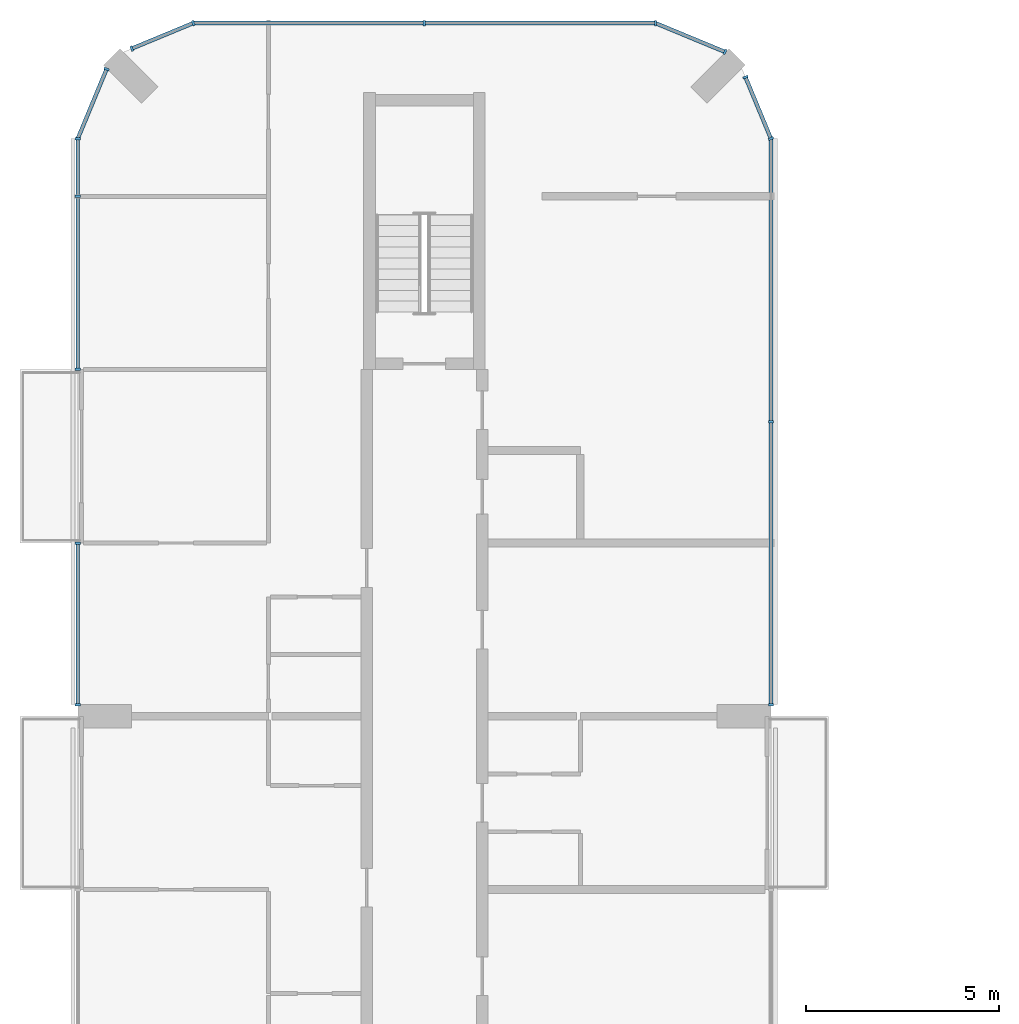
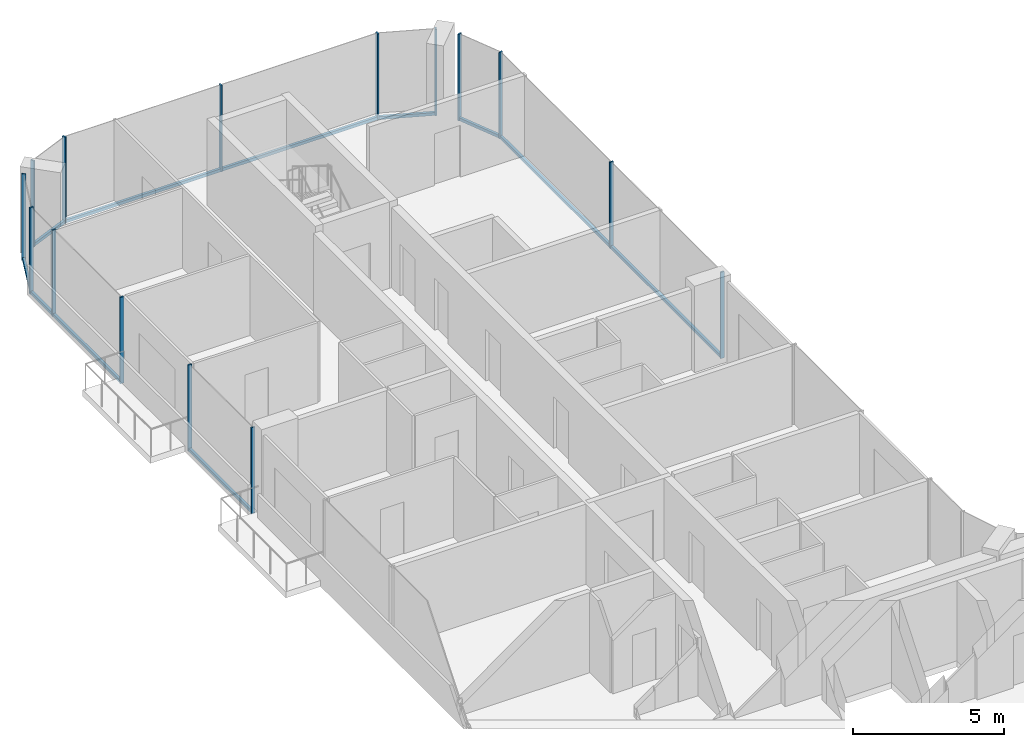
# One storey, part 7 of 15: 23 members, 8 elements without a shape of their own.
"""IFC4 building model written with IfcOpenShell, lengths in metres."""

from ifc_helpers import new_model, si_unit, direction, frame, origin, origin_2d, place, context, subcontext, project, spatial, rectangle, extrude, material, layer, layer_set, material_profile, profile_set, type_object, element, aggregate, save


model = new_model("IFC4")

# Units and contexts
model_context = context("Model", 3, precision=1e-05, world=origin(), true_north=direction((0.0, 1.0)))
body_context = subcontext(model_context, "Body", "Model", "MODEL_VIEW")
ifc_project = project(units=[si_unit("LENGTHUNIT", "METRE"), si_unit("AREAUNIT", "SQUARE_METRE"), si_unit("VOLUMEUNIT", "CUBIC_METRE"), si_unit("PLANEANGLEUNIT", "RADIAN"), si_unit("MASSUNIT", "GRAM", prefix="KILO")], contexts=[model_context])

# Site, building, storey
site_placement = place(None, origin())
site = spatial("IfcSite", under=ifc_project, at=site_placement, CompositionType="ELEMENT")
building_placement = place(site_placement, origin())
building = spatial("IfcBuilding", under=site, at=building_placement, Name="Plateau Cross Towers", CompositionType="ELEMENT")
storey_placement = place(building_placement, frame((0.0, 0.0, 177.89990234375)))
storey = spatial("IfcBuildingStorey", under=building, at=storey_placement, Name="L46", CompositionType="ELEMENT", Elevation=177.89990234375)

# Curtain wall, members
ifc_material_1 = material(Name="Dark low-iron glass", Category="glass")
ifc_layer = layer(ifc_material_1, 0.239990234375)
ifc_layer_set = layer_set([ifc_layer], Name="Dark low-iron glass")
curtain_wall_type = type_object("IfcCurtainWallType", Name="Curtain wall flush unitised CW-B", PredefinedType="NOTDEFINED", material=ifc_layer_set)
curtain_wall_1_placement = place(storey_placement, origin())
curtain_wall_1 = element("IfcCurtainWall", 1, at=curtain_wall_1_placement, inside=storey, type_object=curtain_wall_type, Name="ENV/A/L46/A180_363", PredefinedType="NOTDEFINED")
ifc_material_2 = material(Name="Black anodised aluminium", Category="aluminium")
ifc_material_profile_1 = material_profile(ifc_material_2, rectangle(XDim=0.06005859375, YDim=0.139892578125, at=origin_2d()), Name="MULLION 60x140")
ifc_profile_set_1 = profile_set([ifc_material_profile_1], Name="Black anodised aluminium")
member_type_1 = type_object("IfcMemberType", Name="Mullion 60x140 flush unitised", PredefinedType="MULLION", material=ifc_profile_set_1)
member_1_placement = place(storey_placement, frame((18.0, 36.300048828125, -0.25), z_axis=(0.0, 0.0, 1.0), x_axis=(0.0, 1.0, 0.0)))
member_1 = element("IfcMember", 2, at=member_1_placement, type_object=member_type_1, Name="CW-B mullion 1", PredefinedType="MULLION", context=body_context, shape_type="SweptSolid", body=[
    extrude(rectangle(XDim=0.06005859375, YDim=0.139892578125, at=origin_2d()), origin(), (0.0, 0.0, 1.0), 3.5),
])
member_2_placement = place(storey_placement, frame((18.0, 43.64990234375, -0.25), z_axis=(0.0, 0.0, 1.0), x_axis=(0.0, 1.0, 0.0)))
member_2 = element("IfcMember", 3, at=member_2_placement, type_object=member_type_1, Name="CW-B mullion 2", PredefinedType="MULLION", context=body_context, shape_type="SweptSolid", body=[
    extrude(rectangle(XDim=0.06005859375, YDim=0.139892578125, at=origin_2d()), origin(), (0.0, 0.0, 1.0), 3.5),
])

curtain_wall_2_placement = place(storey_placement, origin())
curtain_wall_2 = element("IfcCurtainWall", 4, at=curtain_wall_2_placement, inside=storey, type_object=curtain_wall_type, Name="ENV/A/L46/A180_510", PredefinedType="NOTDEFINED")
member_3_placement = place(storey_placement, frame((18.0, 51.0, -0.25), z_axis=(0.0, 0.0, 1.0), x_axis=(-0.382683612978, 0.923879457699, 0.0)))
member_3 = element("IfcMember", 5, at=member_3_placement, type_object=member_type_1, Name="CW-B mullion 1", PredefinedType="MULLION", context=body_context, shape_type="SweptSolid", body=[
    extrude(rectangle(XDim=0.06005859375, YDim=0.139892578125, at=origin_2d()), origin(), (0.0, 0.0, 1.0), 3.5),
])
member_4_placement = place(storey_placement, frame((17.338623046875, 52.5966796875, -0.25), z_axis=(0.0, 0.0, 1.0), x_axis=(-0.382683612978, 0.923879457699, 0.0)))
member_4 = element("IfcMember", 6, at=member_4_placement, type_object=member_type_1, Name="CW-B mullion 2", PredefinedType="MULLION", context=body_context, shape_type="SweptSolid", body=[
    extrude(rectangle(XDim=0.06005859375, YDim=0.139892578125, at=origin_2d()), origin(), (0.0, 0.0, 1.0), 3.5),
])

# Curtain wall, member
curtain_wall_3_placement = place(storey_placement, origin())
curtain_wall_3 = element("IfcCurtainWall", 7, at=curtain_wall_3_placement, inside=storey, type_object=curtain_wall_type, Name="ENV/A/L46/A168_533", PredefinedType="NOTDEFINED")
member_5_placement = place(storey_placement, frame((16.805908203125, 53.251953125, -0.25), z_axis=(0.0, 0.0, 1.0), x_axis=(-0.923879457699, 0.382683612978, 0.0)))
member_5 = element("IfcMember", 8, at=member_5_placement, type_object=member_type_1, Name="CW-B mullion 1", PredefinedType="MULLION", context=body_context, shape_type="SweptSolid", body=[
    extrude(rectangle(XDim=0.06005859375, YDim=0.139892578125, at=origin_2d()), origin(), (0.0, 0.0, 1.0), 3.5),
])

# Curtain wall, members
curtain_wall_4_placement = place(storey_placement, origin())
curtain_wall_4 = element("IfcCurtainWall", 9, at=curtain_wall_4_placement, inside=storey, type_object=curtain_wall_type, Name="ENV/A/L46/A150_540", PredefinedType="NOTDEFINED")
member_6_placement = place(storey_placement, frame((15.0, 54.0, -0.25), z_axis=(0.0, 0.0, 1.0), x_axis=(-1.0, 0.0, 0.0)))
member_6 = element("IfcMember", 10, at=member_6_placement, type_object=member_type_1, Name="CW-B mullion 1", PredefinedType="MULLION", context=body_context, shape_type="SweptSolid", body=[
    extrude(rectangle(XDim=0.06005859375, YDim=0.139892578125, at=origin_2d()), origin(), (0.0, 0.0, 1.0), 3.5),
])
member_7_placement = place(storey_placement, frame((9.0, 54.0, -0.25), z_axis=(0.0, 0.0, 1.0), x_axis=(-1.0, 0.0, 0.0)))
member_7 = element("IfcMember", 11, at=member_7_placement, type_object=member_type_1, Name="CW-B mullion 2", PredefinedType="MULLION", context=body_context, shape_type="SweptSolid", body=[
    extrude(rectangle(XDim=0.06005859375, YDim=0.139892578125, at=origin_2d()), origin(), (0.0, 0.0, 1.0), 3.5),
])

curtain_wall_5_placement = place(storey_placement, origin())
curtain_wall_5 = element("IfcCurtainWall", 12, at=curtain_wall_5_placement, inside=storey, type_object=curtain_wall_type, Name="ENV/A/L46/A30_540", PredefinedType="NOTDEFINED")
member_8_placement = place(storey_placement, frame((3.0, 54.0, -0.25), z_axis=(0.0, 0.0, 1.0), x_axis=(-0.923879457699, -0.382683612978, 0.0)))
member_8 = element("IfcMember", 13, at=member_8_placement, type_object=member_type_1, Name="CW-B mullion 1", PredefinedType="MULLION", context=body_context, shape_type="SweptSolid", body=[
    extrude(rectangle(XDim=0.06005859375, YDim=0.139892578125, at=origin_2d()), origin(), (0.0, 0.0, 1.0), 3.5),
])
member_9_placement = place(storey_placement, frame((1.4033203125, 53.338623046875, -0.25), z_axis=(0.0, 0.0, 1.0), x_axis=(-0.923879457699, -0.382683612978, 0.0)))
member_9 = element("IfcMember", 14, at=member_9_placement, type_object=member_type_1, Name="CW-B mullion 2", PredefinedType="MULLION", context=body_context, shape_type="SweptSolid", body=[
    extrude(rectangle(XDim=0.06005859375, YDim=0.139892578125, at=origin_2d()), origin(), (0.0, 0.0, 1.0), 3.5),
])

# Curtain wall, member
curtain_wall_6_placement = place(storey_placement, origin())
curtain_wall_6 = element("IfcCurtainWall", 15, at=curtain_wall_6_placement, inside=storey, type_object=curtain_wall_type, Name="ENV/A/L46/A7_528", PredefinedType="NOTDEFINED")
member_10_placement = place(storey_placement, frame((0.748046875, 52.805908203125, -0.25), z_axis=(0.0, 0.0, 1.0), x_axis=(-0.382683612978, -0.923879457699, 0.0)))
member_10 = element("IfcMember", 16, at=member_10_placement, type_object=member_type_1, Name="CW-B mullion 1", PredefinedType="MULLION", context=body_context, shape_type="SweptSolid", body=[
    extrude(rectangle(XDim=0.06005859375, YDim=0.139892578125, at=origin_2d()), origin(), (0.0, 0.0, 1.0), 3.5),
])

# Curtain wall, members
curtain_wall_7_placement = place(storey_placement, origin())
curtain_wall_7 = element("IfcCurtainWall", 17, at=curtain_wall_7_placement, inside=storey, type_object=curtain_wall_type, Name="ENV/A/L46/A0_510", PredefinedType="NOTDEFINED")
member_11_placement = place(storey_placement, frame((0.0, 51.0, -0.25), z_axis=(0.0, 0.0, 1.0), x_axis=(0.0, -1.0, 0.0)))
member_11 = element("IfcMember", 18, at=member_11_placement, type_object=member_type_1, Name="CW-B mullion 1", PredefinedType="MULLION", context=body_context, shape_type="SweptSolid", body=[
    extrude(rectangle(XDim=0.06005859375, YDim=0.139892578125, at=origin_2d()), origin(), (0.0, 0.0, 1.0), 3.5),
])
member_12_placement = place(storey_placement, frame((0.0, 49.5, -0.25), z_axis=(0.0, 0.0, 1.0), x_axis=(0.0, -1.0, 0.0)))
member_12 = element("IfcMember", 19, at=member_12_placement, type_object=member_type_1, Name="CW-B mullion 2", PredefinedType="MULLION", context=body_context, shape_type="SweptSolid", body=[
    extrude(rectangle(XDim=0.06005859375, YDim=0.139892578125, at=origin_2d()), origin(), (0.0, 0.0, 1.0), 3.5),
])
member_13_placement = place(storey_placement, frame((0.0, 45.010009765625, -0.25), z_axis=(0.0, 0.0, 1.0), x_axis=(0.0, -1.0, 0.0)))
member_13 = element("IfcMember", 20, at=member_13_placement, type_object=member_type_1, Name="CW-B mullion 3", PredefinedType="MULLION", context=body_context, shape_type="SweptSolid", body=[
    extrude(rectangle(XDim=0.06005859375, YDim=0.139892578125, at=origin_2d()), origin(), (0.0, 0.0, 1.0), 3.5),
])

curtain_wall_8_placement = place(storey_placement, origin())
curtain_wall_8 = element("IfcCurtainWall", 21, at=curtain_wall_8_placement, inside=storey, type_object=curtain_wall_type, Name="ENV/A/L46/A0_405", PredefinedType="NOTDEFINED")
member_14_placement = place(storey_placement, frame((0.0, 40.489990234375, -0.25), z_axis=(0.0, 0.0, 1.0), x_axis=(0.0, -1.0, 0.0)))
member_14 = element("IfcMember", 22, at=member_14_placement, type_object=member_type_1, Name="CW-B mullion 1", PredefinedType="MULLION", context=body_context, shape_type="SweptSolid", body=[
    extrude(rectangle(XDim=0.06005859375, YDim=0.139892578125, at=origin_2d()), origin(), (0.0, 0.0, 1.0), 3.5),
])
member_15_placement = place(storey_placement, frame((0.0, 36.300048828125, -0.25), z_axis=(0.0, 0.0, 1.0), x_axis=(0.0, -1.0, 0.0)))
member_15 = element("IfcMember", 23, at=member_15_placement, type_object=member_type_1, Name="CW-B mullion 2", PredefinedType="MULLION", context=body_context, shape_type="SweptSolid", body=[
    extrude(rectangle(XDim=0.06005859375, YDim=0.139892578125, at=origin_2d()), origin(), (0.0, 0.0, 1.0), 3.5),
])

# Member
ifc_material_profile_2 = material_profile(ifc_material_2, rectangle(XDim=0.10009765625, YDim=0.1201171875, at=origin_2d()), Name="TRANSOM 100x120")
ifc_profile_set_2 = profile_set([ifc_material_profile_2], Name="Black anodised aluminium")
member_type_2 = type_object("IfcMemberType", Name="Transom 100x120 flush unitised", PredefinedType="USERDEFINED", material=ifc_profile_set_2)
member_16_placement = place(storey_placement, frame((18.0, 36.300048828125, -0.18994140625), z_axis=(0.0, 1.0, 0.0), x_axis=(-1.0, 0.0, 0.0)))
member_16 = element("IfcMember", 24, at=member_16_placement, type_object=member_type_2, Name="CW-B transom", ObjectType="TRANSOM", PredefinedType="USERDEFINED", context=body_context, shape_type="SweptSolid", body=[
    extrude(rectangle(XDim=0.10009765625, YDim=0.1201171875, at=origin_2d()), origin(), (0.0, 0.0, 1.0), 14.699951171875),
])

aggregate(curtain_wall_1, [member_1, member_2, member_16])

member_17_placement = place(storey_placement, frame((18.0, 51.0, -0.18994140625), z_axis=(-0.382688653628, 0.923877369776, 0.0), x_axis=(-0.923877369776, -0.382688653628, 0.0)))
member_17 = element("IfcMember", 25, at=member_17_placement, type_object=member_type_2, Name="CW-B transom", ObjectType="TRANSOM", PredefinedType="USERDEFINED", context=body_context, shape_type="SweptSolid", body=[
    extrude(rectangle(XDim=0.10009765625, YDim=0.1201171875, at=origin_2d()), origin(), (0.0, 0.0, 1.0), 1.728271484375),
])

aggregate(curtain_wall_2, [member_3, member_4, member_17])

member_18_placement = place(storey_placement, frame((16.805908203125, 53.251953125, -0.18994140625), z_axis=(-0.92387678234, 0.382690071798, 0.0), x_axis=(-0.382690071798, -0.92387678234, 0.0)))
member_18 = element("IfcMember", 26, at=member_18_placement, type_object=member_type_2, Name="CW-B transom", ObjectType="TRANSOM", PredefinedType="USERDEFINED", context=body_context, shape_type="SweptSolid", body=[
    extrude(rectangle(XDim=0.10009765625, YDim=0.1201171875, at=origin_2d()), origin(), (0.0, 0.0, 1.0), 1.95458984375),
])

aggregate(curtain_wall_3, [member_5, member_18])

member_19_placement = place(storey_placement, frame((15.0, 54.0, -0.18994140625), z_axis=(-1.0, 0.0, 0.0), x_axis=(0.0, -1.0, 0.0)))
member_19 = element("IfcMember", 27, at=member_19_placement, type_object=member_type_2, Name="CW-B transom", ObjectType="TRANSOM", PredefinedType="USERDEFINED", context=body_context, shape_type="SweptSolid", body=[
    extrude(rectangle(XDim=0.10009765625, YDim=0.1201171875, at=origin_2d()), origin(), (0.0, 0.0, 1.0), 12.0),
])

aggregate(curtain_wall_4, [member_6, member_7, member_19])

member_20_placement = place(storey_placement, frame((3.0, 54.0, -0.18994140625), z_axis=(-0.923877369776, -0.382688653628, 0.0), x_axis=(0.382688653628, -0.923877369776, 0.0)))
member_20 = element("IfcMember", 28, at=member_20_placement, type_object=member_type_2, Name="CW-B transom", ObjectType="TRANSOM", PredefinedType="USERDEFINED", context=body_context, shape_type="SweptSolid", body=[
    extrude(rectangle(XDim=0.10009765625, YDim=0.1201171875, at=origin_2d()), origin(), (0.0, 0.0, 1.0), 1.728271484375),
])

aggregate(curtain_wall_5, [member_8, member_9, member_20])

member_21_placement = place(storey_placement, frame((0.748046875, 52.805908203125, -0.18994140625), z_axis=(-0.382690071798, -0.92387678234, 0.0), x_axis=(0.92387678234, -0.382690071798, 0.0)))
member_21 = element("IfcMember", 29, at=member_21_placement, type_object=member_type_2, Name="CW-B transom", ObjectType="TRANSOM", PredefinedType="USERDEFINED", context=body_context, shape_type="SweptSolid", body=[
    extrude(rectangle(XDim=0.10009765625, YDim=0.1201171875, at=origin_2d()), origin(), (0.0, 0.0, 1.0), 1.95458984375),
])

aggregate(curtain_wall_6, [member_10, member_21])

member_22_placement = place(storey_placement, frame((0.0, 51.0, -0.18994140625), z_axis=(0.0, -1.0, 0.0), x_axis=(1.0, 0.0, 0.0)))
member_22 = element("IfcMember", 30, at=member_22_placement, type_object=member_type_2, Name="CW-B transom", ObjectType="TRANSOM", PredefinedType="USERDEFINED", context=body_context, shape_type="SweptSolid", body=[
    extrude(rectangle(XDim=0.10009765625, YDim=0.1201171875, at=origin_2d()), origin(), (0.0, 0.0, 1.0), 5.989990234375),
])

aggregate(curtain_wall_7, [member_11, member_12, member_13, member_22])

member_23_placement = place(storey_placement, frame((0.0, 40.489990234375, -0.18994140625), z_axis=(0.0, -1.0, 0.0), x_axis=(1.0, 0.0, 0.0)))
member_23 = element("IfcMember", 31, at=member_23_placement, type_object=member_type_2, Name="CW-B transom", ObjectType="TRANSOM", PredefinedType="USERDEFINED", context=body_context, shape_type="SweptSolid", body=[
    extrude(rectangle(XDim=0.10009765625, YDim=0.1201171875, at=origin_2d()), origin(), (0.0, 0.0, 1.0), 4.18994140625),
])

aggregate(curtain_wall_8, [member_14, member_15, member_23])

save(model, "model.ifc")
